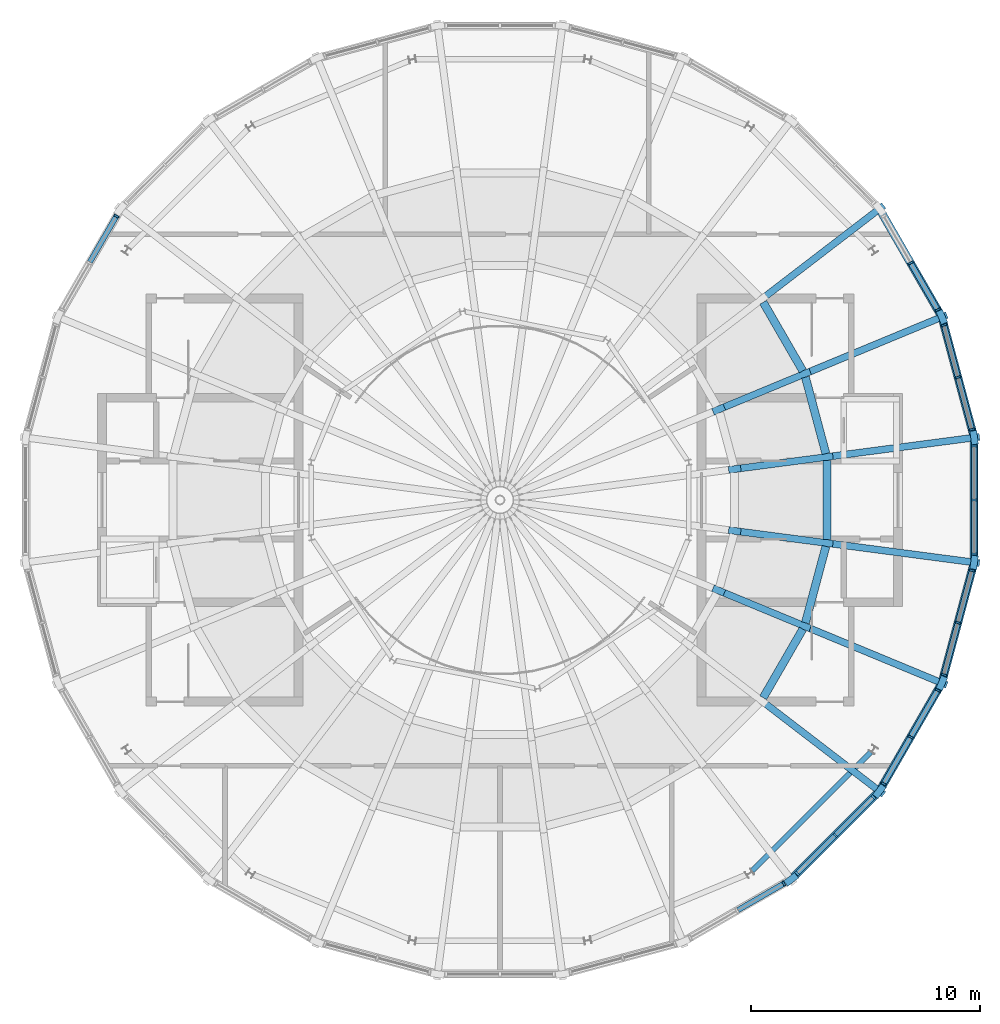
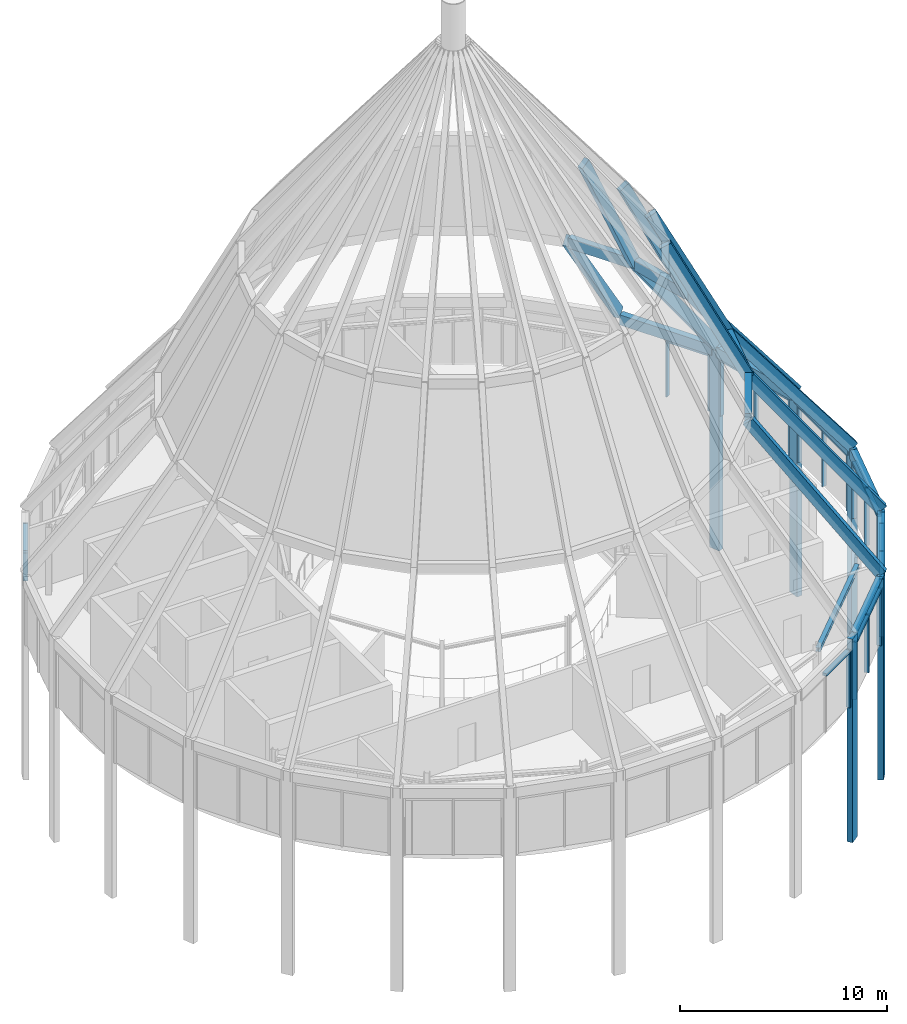
# One storey, part 8 of 16: 59 members, 1 beam, 8 elements without a shape of their own.
"""IFC4 building model written with IfcOpenShell, lengths in metres."""

from ifc_helpers import new_model, si_unit, direction, frame, origin, origin_2d, place, context, subcontext, project, spatial, rectangle, i_section, extrude, material, layer, layer_set, material_profile, profile_set, type_object, element, aggregate, save


model = new_model("IFC4")

# Units and contexts
model_context = context("Model", 3, precision=1e-05, world=origin(), true_north=direction((0.0, 1.0)))
body_context = subcontext(model_context, "Body", "Model", "MODEL_VIEW")
ifc_project = project(units=[si_unit("LENGTHUNIT", "METRE"), si_unit("AREAUNIT", "SQUARE_METRE"), si_unit("VOLUMEUNIT", "CUBIC_METRE"), si_unit("PLANEANGLEUNIT", "RADIAN"), si_unit("MASSUNIT", "GRAM", prefix="KILO")], contexts=[model_context])

# Site, building, storey
site_placement = place(None, origin())
site = spatial("IfcSite", under=ifc_project, at=site_placement, CompositionType="ELEMENT")
building_placement = place(site_placement, origin())
building = spatial("IfcBuilding", under=site, at=building_placement, Name="Maasbend Ring Residences", CompositionType="ELEMENT")
storey_placement = place(building_placement, frame((0.0, 0.0, 269.5)))
storey = spatial("IfcBuildingStorey", under=building, at=storey_placement, Name="L77", CompositionType="ELEMENT", Elevation=269.5)

# Members
ifc_material_1 = material(Name="Steel S355J2", Category="steel")
ifc_material_profile_1 = material_profile(ifc_material_1, rectangle(XDim=0.300048828125, YDim=0.60009765625, at=origin_2d()), Name="Box 300x600x12")
ifc_profile_set_1 = profile_set([ifc_material_profile_1], Name="Steel S355J2")
member_type_1 = type_object("IfcMemberType", Name="CROWN-RIB", PredefinedType="USERDEFINED", material=ifc_profile_set_1)
member_1_placement = place(storey_placement, frame((20.69140625, 2.72412109375, -8.0), z_axis=(0.0, 0.0, 1.0), x_axis=(0.991444861374, 0.13052619222, 0.0)))
element("IfcMember", 1, at=member_1_placement, inside=storey, type_object=member_type_1, Name="Crown frame rib", ObjectType="CROWN FRAME", PredefinedType="USERDEFINED", context=body_context, shape_type="SweptSolid", body=[
    extrude(rectangle(XDim=0.300048828125, YDim=0.60009765625, at=origin_2d()), origin(), (0.0, 0.0, 1.0), 12.0),
])
member_2_placement = place(storey_placement, frame((20.69140625, 2.72412109375, 4.0), z_axis=(-0.604690035961, -0.079612203208, 0.792471991625), x_axis=(0.130531429632, -0.991444171841, 0.0)))
element("IfcMember", 2, at=member_2_placement, inside=storey, type_object=member_type_1, Name="Crown frame rib", ObjectType="CROWN FRAME", PredefinedType="USERDEFINED", context=body_context, shape_type="SweptSolid", body=[
    extrude(rectangle(XDim=0.300048828125, YDim=0.60009765625, at=origin_2d()), origin(), (0.0, 0.0, 1.0), 10.635009765625),
])
member_3_placement = place(storey_placement, frame((14.260498046875, 1.87744140625, 12.427978515625), z_axis=(-0.4425574089, -0.058253168018, 0.894846080755), x_axis=(0.130502805444, -0.991447940021, 0.0)))
element("IfcMember", 3, at=member_3_placement, inside=storey, type_object=member_type_1, Name="Crown frame rib", ObjectType="CROWN FRAME", PredefinedType="USERDEFINED", context=body_context, shape_type="SweptSolid", body=[
    extrude(rectangle(XDim=0.300048828125, YDim=0.60009765625, at=origin_2d()), origin(), (0.0, 0.0, 1.0), 9.08203125),
])
member_4_placement = place(storey_placement, frame((19.28125, 7.986572265625, -8.0), z_axis=(0.0, 0.0, 1.0), x_axis=(0.923879532511, 0.382683432365, 0.0)))
element("IfcMember", 4, at=member_4_placement, inside=storey, type_object=member_type_1, Name="Crown frame rib", ObjectType="CROWN FRAME", PredefinedType="USERDEFINED", context=body_context, shape_type="SweptSolid", body=[
    extrude(rectangle(XDim=0.300048828125, YDim=0.60009765625, at=origin_2d()), origin(), (0.0, 0.0, 1.0), 12.0),
])
member_5_placement = place(storey_placement, frame((19.28125, 7.986572265625, 4.0), z_axis=(-0.563468129772, -0.233399082314, 0.79248251407), x_axis=(0.382687548315, -0.923877827618, 0.0)))
element("IfcMember", 5, at=member_5_placement, inside=storey, type_object=member_type_1, Name="Crown frame rib", ObjectType="CROWN FRAME", PredefinedType="USERDEFINED", context=body_context, shape_type="SweptSolid", body=[
    extrude(rectangle(XDim=0.300048828125, YDim=0.60009765625, at=origin_2d()), origin(), (0.0, 0.0, 1.0), 10.635009765625),
])
member_6_placement = place(storey_placement, frame((13.288818359375, 5.50439453125, 12.427978515625), z_axis=(-0.412417278661, -0.170832473334, 0.894834204932), x_axis=(0.382690398388, -0.92387664706, 0.0)))
element("IfcMember", 6, at=member_6_placement, inside=storey, type_object=member_type_1, Name="Crown frame rib", ObjectType="CROWN FRAME", PredefinedType="USERDEFINED", context=body_context, shape_type="SweptSolid", body=[
    extrude(rectangle(XDim=0.300048828125, YDim=0.60009765625, at=origin_2d()), origin(), (0.0, 0.0, 1.0), 9.08203125),
])
member_7_placement = place(storey_placement, frame((16.557373046875, 12.704833984375, 4.0), z_axis=(-0.483870756663, -0.37129355813, 0.792470936084), x_axis=(0.608768103624, -0.793348218634, 0.0)))
element("IfcMember", 7, at=member_7_placement, inside=storey, type_object=member_type_1, Name="Crown frame rib", ObjectType="CROWN FRAME", PredefinedType="USERDEFINED", context=body_context, shape_type="SweptSolid", body=[
    extrude(rectangle(XDim=0.300048828125, YDim=0.60009765625, at=origin_2d()), origin(), (0.0, 0.0, 1.0), 10.635009765625),
])
for number, where, z_axis, x_axis, name in (
    (8, (12.704833984375, -16.557373046875, -8.0), (0.0, 0.0, 1.0), (0.608761429009, -0.793353340291, 0.0), "Crown frame rib"),
    (9, (16.557373046875, -12.704833984375, -8.0), (0.0, 0.0, 1.0), (0.793353340291, -0.608761429009, 0.0), "Crown frame rib"),
):
    element("IfcMember", number, at=place(storey_placement, frame(where, z_axis=z_axis, x_axis=x_axis)), inside=storey, type_object=member_type_1, Name=name, ObjectType="CROWN FRAME", PredefinedType="USERDEFINED", context=body_context, shape_type="SweptSolid", body=[
        extrude(rectangle(XDim=0.300048828125, YDim=0.60009765625, at=origin_2d()), origin(), (0.0, 0.0, 1.0), 12.0),
    ])
member_8_placement = place(storey_placement, frame((16.557373046875, -12.704833984375, 4.0), z_axis=(-0.483870756663, 0.37129355813, 0.792470936084), x_axis=(-0.608768103624, -0.793348218634, 0.0)))
element("IfcMember", 10, at=member_8_placement, inside=storey, type_object=member_type_1, Name="Crown frame rib", ObjectType="CROWN FRAME", PredefinedType="USERDEFINED", context=body_context, shape_type="SweptSolid", body=[
    extrude(rectangle(XDim=0.300048828125, YDim=0.60009765625, at=origin_2d()), origin(), (0.0, 0.0, 1.0), 10.635009765625),
])
member_9_placement = place(storey_placement, frame((19.28125, -7.986572265625, -8.0), z_axis=(0.0, 0.0, 1.0), x_axis=(0.923879532511, -0.382683432365, 0.0)))
element("IfcMember", 11, at=member_9_placement, inside=storey, type_object=member_type_1, Name="Crown frame rib", ObjectType="CROWN FRAME", PredefinedType="USERDEFINED", context=body_context, shape_type="SweptSolid", body=[
    extrude(rectangle(XDim=0.300048828125, YDim=0.60009765625, at=origin_2d()), origin(), (0.0, 0.0, 1.0), 12.0),
])
member_10_placement = place(storey_placement, frame((19.28125, -7.986572265625, 4.0), z_axis=(-0.563468129772, 0.233399082314, 0.79248251407), x_axis=(-0.382687548315, -0.923877827618, 0.0)))
element("IfcMember", 12, at=member_10_placement, inside=storey, type_object=member_type_1, Name="Crown frame rib", ObjectType="CROWN FRAME", PredefinedType="USERDEFINED", context=body_context, shape_type="SweptSolid", body=[
    extrude(rectangle(XDim=0.300048828125, YDim=0.60009765625, at=origin_2d()), origin(), (0.0, 0.0, 1.0), 10.635009765625),
])
member_11_placement = place(storey_placement, frame((13.288818359375, -5.50439453125, 12.427978515625), z_axis=(-0.412417278661, 0.170832473334, 0.894834204932), x_axis=(-0.382690398388, -0.92387664706, 0.0)))
element("IfcMember", 13, at=member_11_placement, inside=storey, type_object=member_type_1, Name="Crown frame rib", ObjectType="CROWN FRAME", PredefinedType="USERDEFINED", context=body_context, shape_type="SweptSolid", body=[
    extrude(rectangle(XDim=0.300048828125, YDim=0.60009765625, at=origin_2d()), origin(), (0.0, 0.0, 1.0), 9.08203125),
])
member_12_placement = place(storey_placement, frame((20.69140625, -2.72412109375, -8.0), z_axis=(0.0, 0.0, 1.0), x_axis=(0.991444861374, -0.13052619222, 0.0)))
element("IfcMember", 14, at=member_12_placement, inside=storey, type_object=member_type_1, Name="Crown frame rib", ObjectType="CROWN FRAME", PredefinedType="USERDEFINED", context=body_context, shape_type="SweptSolid", body=[
    extrude(rectangle(XDim=0.300048828125, YDim=0.60009765625, at=origin_2d()), origin(), (0.0, 0.0, 1.0), 12.0),
])
member_13_placement = place(storey_placement, frame((20.69140625, -2.72412109375, 4.0), z_axis=(-0.604690035961, 0.079612203208, 0.792471991625), x_axis=(-0.130531429632, -0.991444171841, 0.0)))
element("IfcMember", 15, at=member_13_placement, inside=storey, type_object=member_type_1, Name="Crown frame rib", ObjectType="CROWN FRAME", PredefinedType="USERDEFINED", context=body_context, shape_type="SweptSolid", body=[
    extrude(rectangle(XDim=0.300048828125, YDim=0.60009765625, at=origin_2d()), origin(), (0.0, 0.0, 1.0), 10.635009765625),
])
member_14_placement = place(storey_placement, frame((14.260498046875, -1.87744140625, 12.427978515625), z_axis=(-0.4425574089, 0.058253168018, 0.894846080755), x_axis=(-0.130502805444, -0.991447940021, 0.0)))
element("IfcMember", 16, at=member_14_placement, inside=storey, type_object=member_type_1, Name="Crown frame rib", ObjectType="CROWN FRAME", PredefinedType="USERDEFINED", context=body_context, shape_type="SweptSolid", body=[
    extrude(rectangle(XDim=0.300048828125, YDim=0.60009765625, at=origin_2d()), origin(), (0.0, 0.0, 1.0), 9.08203125),
])
ifc_material_2 = material(Name="Steel S355J2", Category="steel")
ifc_material_profile_2 = material_profile(ifc_material_2, rectangle(XDim=0.35009765625, YDim=0.60009765625, at=origin_2d()), Name="Box 350x600x16")
ifc_profile_set_2 = profile_set([ifc_material_profile_2], Name="Steel S355J2")
member_type_2 = type_object("IfcMemberType", Name="CROWN-RING", PredefinedType="USERDEFINED", material=ifc_profile_set_2)
member_15_placement = place(storey_placement, frame((20.652587890625, 2.868896484375, 3.699951171875), z_axis=(-0.258825367631, 0.96592413215, 0.0), x_axis=(-0.96592413215, -0.258825367631, 0.0)))
element("IfcMember", 17, at=member_15_placement, inside=storey, type_object=member_type_2, Name="Crown frame ring beam", ObjectType="CROWN FRAME", PredefinedType="USERDEFINED", context=body_context, shape_type="SweptSolid", body=[
    extrude(rectangle(XDim=0.35009765625, YDim=0.60009765625, at=origin_2d()), origin(), (0.0, 0.0, 1.0), 5.1484375),
])
member_16_placement = place(storey_placement, frame((19.206298828125, 8.116455078125, 3.699951171875), z_axis=(-0.499979704663, 0.866037120986, 0.0), x_axis=(-0.866037120986, -0.499979704663, 0.0)))
element("IfcMember", 18, at=member_16_placement, inside=storey, type_object=member_type_2, Name="Crown frame ring beam", ObjectType="CROWN FRAME", PredefinedType="USERDEFINED", context=body_context, shape_type="SweptSolid", body=[
    extrude(rectangle(XDim=0.35009765625, YDim=0.60009765625, at=origin_2d()), origin(), (0.0, 0.0, 1.0), 5.148193359375),
])
member_17_placement = place(storey_placement, frame((12.81103515625, -16.451171875, 3.699951171875), z_axis=(0.707106781187, 0.707106781187, 0.0), x_axis=(-0.707106781187, 0.707106781187, 0.0)))
element("IfcMember", 19, at=member_17_placement, inside=storey, type_object=member_type_2, Name="Crown frame ring beam", ObjectType="CROWN FRAME", PredefinedType="USERDEFINED", context=body_context, shape_type="SweptSolid", body=[
    extrude(rectangle(XDim=0.35009765625, YDim=0.60009765625, at=origin_2d()), origin(), (0.0, 0.0, 1.0), 5.14794921875),
])
member_18_placement = place(storey_placement, frame((16.63232421875, -12.574951171875, 3.699951171875), z_axis=(0.499979704663, 0.866037120986, 0.0), x_axis=(-0.866037120986, 0.499979704663, 0.0)))
element("IfcMember", 20, at=member_18_placement, inside=storey, type_object=member_type_2, Name="Crown frame ring beam", ObjectType="CROWN FRAME", PredefinedType="USERDEFINED", context=body_context, shape_type="SweptSolid", body=[
    extrude(rectangle(XDim=0.35009765625, YDim=0.60009765625, at=origin_2d()), origin(), (0.0, 0.0, 1.0), 5.148193359375),
])
member_19_placement = place(storey_placement, frame((19.320068359375, -7.841796875, 3.699951171875), z_axis=(0.258825367631, 0.96592413215, 0.0), x_axis=(-0.96592413215, 0.258825367631, 0.0)))
element("IfcMember", 21, at=member_19_placement, inside=storey, type_object=member_type_2, Name="Crown frame ring beam", ObjectType="CROWN FRAME", PredefinedType="USERDEFINED", context=body_context, shape_type="SweptSolid", body=[
    extrude(rectangle(XDim=0.35009765625, YDim=0.60009765625, at=origin_2d()), origin(), (0.0, 0.0, 1.0), 5.1484375),
])
member_20_placement = place(storey_placement, frame((20.69140625, -2.573974609375, 3.699951171875), z_axis=(0.0, 1.0, 0.0), x_axis=(-1.0, 0.0, 0.0)))
element("IfcMember", 22, at=member_20_placement, inside=storey, type_object=member_type_2, Name="Crown frame ring beam", ObjectType="CROWN FRAME", PredefinedType="USERDEFINED", context=body_context, shape_type="SweptSolid", body=[
    extrude(rectangle(XDim=0.35009765625, YDim=0.60009765625, at=origin_2d()), origin(), (0.0, 0.0, 1.0), 5.14794921875),
])
for number, where, z_axis, x_axis, name in (
    (23, (14.2216796875, 2.022216796875, 12.427978515625), (-0.25877964949, 0.965936381451, 0.0), (-0.965936381451, -0.25877964949, 0.0), "Crown frame ring beam"),
    (24, (13.213623046875, 5.63427734375, 12.427978515625), (-0.499977339252, 0.866038486578, 0.0), (-0.866038486578, -0.499977339252, 0.0), "Crown frame ring beam"),
    (25, (11.486328125, -8.626220703125, 12.427978515625), (0.499977339252, 0.866038486578, 0.0), (-0.866038486578, 0.499977339252, 0.0), "Crown frame ring beam"),
    (26, (13.32763671875, -5.359375, 12.427978515625), (0.25877964949, 0.965936381451, 0.0), (-0.965936381451, 0.25877964949, 0.0), "Crown frame ring beam"),
):
    element("IfcMember", number, at=place(storey_placement, frame(where, z_axis=z_axis, x_axis=x_axis)), inside=storey, type_object=member_type_2, Name=name, ObjectType="CROWN FRAME", PredefinedType="USERDEFINED", context=body_context, shape_type="SweptSolid", body=[
        extrude(rectangle(XDim=0.35009765625, YDim=0.60009765625, at=origin_2d()), origin(), (0.0, 0.0, 1.0), 3.454833984375),
    ])
member_21_placement = place(storey_placement, frame((14.260498046875, -1.7275390625, 12.427978515625), z_axis=(0.0, 1.0, 0.0), x_axis=(-1.0, 0.0, 0.0)))
element("IfcMember", 27, at=member_21_placement, inside=storey, type_object=member_type_2, Name="Crown frame ring beam", ObjectType="CROWN FRAME", PredefinedType="USERDEFINED", context=body_context, shape_type="SweptSolid", body=[
    extrude(rectangle(XDim=0.35009765625, YDim=0.60009765625, at=origin_2d()), origin(), (0.0, 0.0, 1.0), 3.455078125),
])

# Curtain wall, members
ifc_material_3 = material(Name="Aluminium and clear glass", Category="aluminium")
ifc_layer = layer(ifc_material_3, 0.239990234375)
ifc_layer_set = layer_set([ifc_layer], Name="CW-CN")
curtain_wall_type = type_object("IfcCurtainWallType", Name="CW-CN", PredefinedType="NOTDEFINED", material=ifc_layer_set)
curtain_wall_1_placement = place(storey_placement, origin())
curtain_wall_1 = element("IfcCurtainWall", 28, at=curtain_wall_1_placement, inside=storey, type_object=curtain_wall_type, Name="Crown drum glazing 01 L77", PredefinedType="NOTDEFINED")
ifc_material_4 = material(Name="Aluminium 6063-T6", Category="aluminium")
ifc_material_profile_3 = material_profile(ifc_material_4, rectangle(XDim=0.239990234375, YDim=0.090087890625, at=origin_2d()), Name="AL 240x90")
ifc_profile_set_3 = profile_set([ifc_material_profile_3], Name="Aluminium 6063-T6")
member_type_3 = type_object("IfcMemberType", Name="CWM-CN", PredefinedType="MULLION", material=ifc_profile_set_3)
member_22_placement = place(storey_placement, frame((20.596923828125, 3.07666015625, 0.0), z_axis=(0.0, 0.0, 1.0), x_axis=(-0.965925826289, -0.258819045103, 0.0)))
member_22 = element("IfcMember", 29, at=member_22_placement, type_object=member_type_3, Name="Mullion crown cone", PredefinedType="MULLION", context=body_context, shape_type="SweptSolid", body=[
    extrude(rectangle(XDim=0.239990234375, YDim=0.090087890625, at=origin_2d()), origin(), (0.0, 0.0, 1.0), 3.39990234375),
])
member_23_placement = place(storey_placement, frame((19.986328125, 5.355224609375, 0.0), z_axis=(0.0, 0.0, 1.0), x_axis=(-0.965925826289, -0.258819045103, 0.0)))
member_23 = element("IfcMember", 30, at=member_23_placement, type_object=member_type_3, Name="Mullion crown cone", PredefinedType="MULLION", context=body_context, shape_type="SweptSolid", body=[
    extrude(rectangle(XDim=0.239990234375, YDim=0.090087890625, at=origin_2d()), origin(), (0.0, 0.0, 1.0), 3.39990234375),
])
member_24_placement = place(storey_placement, frame((19.375732421875, 7.634033203125, 0.0), z_axis=(0.0, 0.0, 1.0), x_axis=(-0.965925826289, -0.258819045103, 0.0)))
member_24 = element("IfcMember", 31, at=member_24_placement, type_object=member_type_3, Name="Mullion crown cone", PredefinedType="MULLION", context=body_context, shape_type="SweptSolid", body=[
    extrude(rectangle(XDim=0.239990234375, YDim=0.090087890625, at=origin_2d()), origin(), (0.0, 0.0, 1.0), 3.39990234375),
])

curtain_wall_2_placement = place(storey_placement, origin())
curtain_wall_2 = element("IfcCurtainWall", 32, at=curtain_wall_2_placement, inside=storey, type_object=curtain_wall_type, Name="Crown drum glazing 02 L77", PredefinedType="NOTDEFINED")
member_25_placement = place(storey_placement, frame((19.098876953125, 8.302734375, 0.0), z_axis=(0.0, 0.0, 1.0), x_axis=(-0.866025403784, -0.5, 0.0)))
member_25 = element("IfcMember", 33, at=member_25_placement, type_object=member_type_3, Name="Mullion crown cone", PredefinedType="MULLION", context=body_context, shape_type="SweptSolid", body=[
    extrude(rectangle(XDim=0.239990234375, YDim=0.090087890625, at=origin_2d()), origin(), (0.0, 0.0, 1.0), 3.39990234375),
])
member_26_placement = place(storey_placement, frame((17.91943359375, 10.345703125, 0.0), z_axis=(0.0, 0.0, 1.0), x_axis=(-0.866025403784, -0.5, 0.0)))
member_26 = element("IfcMember", 34, at=member_26_placement, type_object=member_type_3, Name="Mullion crown cone", PredefinedType="MULLION", context=body_context, shape_type="SweptSolid", body=[
    extrude(rectangle(XDim=0.239990234375, YDim=0.090087890625, at=origin_2d()), origin(), (0.0, 0.0, 1.0), 3.39990234375),
])

# Curtain wall, member
curtain_wall_3_placement = place(storey_placement, origin())
curtain_wall_3 = element("IfcCurtainWall", 35, at=curtain_wall_3_placement, inside=storey, type_object=curtain_wall_type, Name="Crown drum glazing 10 L77", PredefinedType="NOTDEFINED")
member_27_placement = place(storey_placement, frame((-16.73974609375, 12.388671875, 0.0), z_axis=(0.0, 0.0, 1.0), x_axis=(0.866025403784, -0.5, 0.0)))
member_27 = element("IfcMember", 36, at=member_27_placement, type_object=member_type_3, Name="Mullion crown cone", PredefinedType="MULLION", context=body_context, shape_type="SweptSolid", body=[
    extrude(rectangle(XDim=0.239990234375, YDim=0.090087890625, at=origin_2d()), origin(), (0.0, 0.0, 1.0), 3.39990234375),
])

curtain_wall_4_placement = place(storey_placement, origin())
curtain_wall_4 = element("IfcCurtainWall", 37, at=curtain_wall_4_placement, inside=storey, type_object=curtain_wall_type, Name="Crown drum glazing 20 L77", PredefinedType="NOTDEFINED")
member_28_placement = place(storey_placement, frame((12.388671875, -16.73974609375, 0.0), z_axis=(0.0, 0.0, 1.0), x_axis=(-0.5, 0.866025403784, 0.0)))
member_28 = element("IfcMember", 38, at=member_28_placement, type_object=member_type_3, Name="Mullion crown cone", PredefinedType="MULLION", context=body_context, shape_type="SweptSolid", body=[
    extrude(rectangle(XDim=0.239990234375, YDim=0.090087890625, at=origin_2d()), origin(), (0.0, 0.0, 1.0), 3.39990234375),
])

# Curtain wall, members
curtain_wall_5_placement = place(storey_placement, origin())
curtain_wall_5 = element("IfcCurtainWall", 39, at=curtain_wall_5_placement, inside=storey, type_object=curtain_wall_type, Name="Crown drum glazing 21 L77", PredefinedType="NOTDEFINED")
member_29_placement = place(storey_placement, frame((12.962890625, -16.299072265625, 0.0), z_axis=(0.0, 0.0, 1.0), x_axis=(-0.707106781187, 0.707106781187, 0.0)))
member_29 = element("IfcMember", 40, at=member_29_placement, type_object=member_type_3, Name="Mullion crown cone", PredefinedType="MULLION", context=body_context, shape_type="SweptSolid", body=[
    extrude(rectangle(XDim=0.239990234375, YDim=0.090087890625, at=origin_2d()), origin(), (0.0, 0.0, 1.0), 3.39990234375),
])
member_30_placement = place(storey_placement, frame((14.631103515625, -14.631103515625, 0.0), z_axis=(0.0, 0.0, 1.0), x_axis=(-0.707106781187, 0.707106781187, 0.0)))
member_30 = element("IfcMember", 41, at=member_30_placement, type_object=member_type_3, Name="Mullion crown cone", PredefinedType="MULLION", context=body_context, shape_type="SweptSolid", body=[
    extrude(rectangle(XDim=0.239990234375, YDim=0.090087890625, at=origin_2d()), origin(), (0.0, 0.0, 1.0), 3.39990234375),
])
member_31_placement = place(storey_placement, frame((16.299072265625, -12.962890625, 0.0), z_axis=(0.0, 0.0, 1.0), x_axis=(-0.707106781187, 0.707106781187, 0.0)))
member_31 = element("IfcMember", 42, at=member_31_placement, type_object=member_type_3, Name="Mullion crown cone", PredefinedType="MULLION", context=body_context, shape_type="SweptSolid", body=[
    extrude(rectangle(XDim=0.239990234375, YDim=0.090087890625, at=origin_2d()), origin(), (0.0, 0.0, 1.0), 3.39990234375),
])

curtain_wall_6_placement = place(storey_placement, origin())
curtain_wall_6 = element("IfcCurtainWall", 43, at=curtain_wall_6_placement, inside=storey, type_object=curtain_wall_type, Name="Crown drum glazing 22 L77", PredefinedType="NOTDEFINED")
member_32_placement = place(storey_placement, frame((16.73974609375, -12.388671875, 0.0), z_axis=(0.0, 0.0, 1.0), x_axis=(-0.866025403784, 0.5, 0.0)))
member_32 = element("IfcMember", 44, at=member_32_placement, type_object=member_type_3, Name="Mullion crown cone", PredefinedType="MULLION", context=body_context, shape_type="SweptSolid", body=[
    extrude(rectangle(XDim=0.239990234375, YDim=0.090087890625, at=origin_2d()), origin(), (0.0, 0.0, 1.0), 3.39990234375),
])
member_33_placement = place(storey_placement, frame((17.91943359375, -10.345703125, 0.0), z_axis=(0.0, 0.0, 1.0), x_axis=(-0.866025403784, 0.5, 0.0)))
member_33 = element("IfcMember", 45, at=member_33_placement, type_object=member_type_3, Name="Mullion crown cone", PredefinedType="MULLION", context=body_context, shape_type="SweptSolid", body=[
    extrude(rectangle(XDim=0.239990234375, YDim=0.090087890625, at=origin_2d()), origin(), (0.0, 0.0, 1.0), 3.39990234375),
])
member_34_placement = place(storey_placement, frame((19.098876953125, -8.302734375, 0.0), z_axis=(0.0, 0.0, 1.0), x_axis=(-0.866025403784, 0.5, 0.0)))
member_34 = element("IfcMember", 46, at=member_34_placement, type_object=member_type_3, Name="Mullion crown cone", PredefinedType="MULLION", context=body_context, shape_type="SweptSolid", body=[
    extrude(rectangle(XDim=0.239990234375, YDim=0.090087890625, at=origin_2d()), origin(), (0.0, 0.0, 1.0), 3.39990234375),
])

curtain_wall_7_placement = place(storey_placement, origin())
curtain_wall_7 = element("IfcCurtainWall", 47, at=curtain_wall_7_placement, inside=storey, type_object=curtain_wall_type, Name="Crown drum glazing 23 L77", PredefinedType="NOTDEFINED")
member_35_placement = place(storey_placement, frame((19.375732421875, -7.634033203125, 0.0), z_axis=(0.0, 0.0, 1.0), x_axis=(-0.965925826289, 0.258819045103, 0.0)))
member_35 = element("IfcMember", 48, at=member_35_placement, type_object=member_type_3, Name="Mullion crown cone", PredefinedType="MULLION", context=body_context, shape_type="SweptSolid", body=[
    extrude(rectangle(XDim=0.239990234375, YDim=0.090087890625, at=origin_2d()), origin(), (0.0, 0.0, 1.0), 3.39990234375),
])
member_36_placement = place(storey_placement, frame((19.986328125, -5.355224609375, 0.0), z_axis=(0.0, 0.0, 1.0), x_axis=(-0.965925826289, 0.258819045103, 0.0)))
member_36 = element("IfcMember", 49, at=member_36_placement, type_object=member_type_3, Name="Mullion crown cone", PredefinedType="MULLION", context=body_context, shape_type="SweptSolid", body=[
    extrude(rectangle(XDim=0.239990234375, YDim=0.090087890625, at=origin_2d()), origin(), (0.0, 0.0, 1.0), 3.39990234375),
])
member_37_placement = place(storey_placement, frame((20.596923828125, -3.07666015625, 0.0), z_axis=(0.0, 0.0, 1.0), x_axis=(-0.965925826289, 0.258819045103, 0.0)))
member_37 = element("IfcMember", 50, at=member_37_placement, type_object=member_type_3, Name="Mullion crown cone", PredefinedType="MULLION", context=body_context, shape_type="SweptSolid", body=[
    extrude(rectangle(XDim=0.239990234375, YDim=0.090087890625, at=origin_2d()), origin(), (0.0, 0.0, 1.0), 3.39990234375),
])

curtain_wall_8_placement = place(storey_placement, origin())
curtain_wall_8 = element("IfcCurtainWall", 51, at=curtain_wall_8_placement, inside=storey, type_object=curtain_wall_type, Name="Crown drum glazing 24 L77", PredefinedType="NOTDEFINED")
member_38_placement = place(storey_placement, frame((20.69140625, -2.359130859375, 0.0), z_axis=(0.0, 0.0, 1.0), x_axis=(-1.0, 0.0, 0.0)))
member_38 = element("IfcMember", 52, at=member_38_placement, type_object=member_type_3, Name="Mullion crown cone", PredefinedType="MULLION", context=body_context, shape_type="SweptSolid", body=[
    extrude(rectangle(XDim=0.239990234375, YDim=0.090087890625, at=origin_2d()), origin(), (0.0, 0.0, 1.0), 3.39990234375),
])
member_39_placement = place(storey_placement, frame((20.69140625, 0.0, 0.0), z_axis=(0.0, 0.0, 1.0), x_axis=(-1.0, 0.0, 0.0)))
member_39 = element("IfcMember", 53, at=member_39_placement, type_object=member_type_3, Name="Mullion crown cone", PredefinedType="MULLION", context=body_context, shape_type="SweptSolid", body=[
    extrude(rectangle(XDim=0.239990234375, YDim=0.090087890625, at=origin_2d()), origin(), (0.0, 0.0, 1.0), 3.39990234375),
])
member_40_placement = place(storey_placement, frame((20.69140625, 2.359130859375, 0.0), z_axis=(0.0, 0.0, 1.0), x_axis=(-1.0, 0.0, 0.0)))
member_40 = element("IfcMember", 54, at=member_40_placement, type_object=member_type_3, Name="Mullion crown cone", PredefinedType="MULLION", context=body_context, shape_type="SweptSolid", body=[
    extrude(rectangle(XDim=0.239990234375, YDim=0.090087890625, at=origin_2d()), origin(), (0.0, 0.0, 1.0), 3.39990234375),
])

# Member
ifc_material_5 = material(Name="Aluminium 6063-T6", Category="aluminium")
ifc_material_profile_4 = material_profile(ifc_material_5, rectangle(XDim=0.239990234375, YDim=0.159912109375, at=origin_2d()), Name="AL 240x160")
ifc_profile_set_4 = profile_set([ifc_material_profile_4], Name="Aluminium 6063-T6")
member_type_4 = type_object("IfcMemberType", Name="CWT-CN", PredefinedType="USERDEFINED", material=ifc_profile_set_4)
member_41_placement = place(storey_placement, frame((20.58544921875, 3.1201171875, 3.320068359375), z_axis=(-0.258881296667, 0.965909143883, 0.0), x_axis=(-0.965909143883, -0.258881296667, 0.0)))
member_41 = element("IfcMember", 55, at=member_41_placement, type_object=member_type_4, Name="Transom crown cone", ObjectType="TRANSOM", PredefinedType="USERDEFINED", context=body_context, shape_type="SweptSolid", body=[
    extrude(rectangle(XDim=0.239990234375, YDim=0.159912109375, at=origin_2d()), origin(), (0.0, 0.0, 1.0), 2.26904296875),
])

member_42_placement = place(storey_placement, frame((19.974853515625, 5.39892578125, 3.320068359375), z_axis=(-0.258881296667, 0.965909143883, 0.0), x_axis=(-0.965909143883, -0.258881296667, 0.0)))
member_42 = element("IfcMember", 56, at=member_42_placement, type_object=member_type_4, Name="Transom crown cone", ObjectType="TRANSOM", PredefinedType="USERDEFINED", context=body_context, shape_type="SweptSolid", body=[
    extrude(rectangle(XDim=0.239990234375, YDim=0.159912109375, at=origin_2d()), origin(), (0.0, 0.0, 1.0), 2.26904296875),
])

aggregate(curtain_wall_1, [member_22, member_23, member_24, member_41, member_42])

member_43_placement = place(storey_placement, frame((19.076416015625, 8.341552734375, 3.320068359375), z_axis=(-0.49999255039, 0.866029704776, 0.0), x_axis=(-0.866029704776, -0.49999255039, 0.0)))
member_43 = element("IfcMember", 57, at=member_43_placement, type_object=member_type_4, Name="Transom crown cone", ObjectType="TRANSOM", PredefinedType="USERDEFINED", context=body_context, shape_type="SweptSolid", body=[
    extrude(rectangle(XDim=0.239990234375, YDim=0.159912109375, at=origin_2d()), origin(), (0.0, 0.0, 1.0), 2.26904296875),
])

aggregate(curtain_wall_2, [member_25, member_26, member_43])

member_44_placement = place(storey_placement, frame((-16.76220703125, 12.349853515625, 3.320068359375), z_axis=(-0.49999255039, -0.866029704776, 0.0), x_axis=(0.866029704776, -0.49999255039, 0.0)))
member_44 = element("IfcMember", 58, at=member_44_placement, type_object=member_type_4, Name="Transom crown cone", ObjectType="TRANSOM", PredefinedType="USERDEFINED", context=body_context, shape_type="SweptSolid", body=[
    extrude(rectangle(XDim=0.239990234375, YDim=0.159912109375, at=origin_2d()), origin(), (0.0, 0.0, 1.0), 2.26904296875),
])

aggregate(curtain_wall_3, [member_27, member_44])

member_45_placement = place(storey_placement, frame((10.384765625, -17.896728515625, 3.320068359375), z_axis=(0.866029704776, 0.49999255039, 0.0), x_axis=(-0.49999255039, 0.866029704776, 0.0)))
member_45 = element("IfcMember", 59, at=member_45_placement, type_object=member_type_4, Name="Transom crown cone", ObjectType="TRANSOM", PredefinedType="USERDEFINED", context=body_context, shape_type="SweptSolid", body=[
    extrude(rectangle(XDim=0.239990234375, YDim=0.159912109375, at=origin_2d()), origin(), (0.0, 0.0, 1.0), 2.26904296875),
])

aggregate(curtain_wall_4, [member_28, member_45])

member_46_placement = place(storey_placement, frame((12.994873046875, -16.267333984375, 3.320068359375), z_axis=(0.707106781187, 0.707106781187, 0.0), x_axis=(-0.707106781187, 0.707106781187, 0.0)))
member_46 = element("IfcMember", 60, at=member_46_placement, type_object=member_type_4, Name="Transom crown cone", ObjectType="TRANSOM", PredefinedType="USERDEFINED", context=body_context, shape_type="SweptSolid", body=[
    extrude(rectangle(XDim=0.239990234375, YDim=0.159912109375, at=origin_2d()), origin(), (0.0, 0.0, 1.0), 2.26904296875),
])

member_47_placement = place(storey_placement, frame((14.662841796875, -14.599365234375, 3.320068359375), z_axis=(0.707106781187, 0.707106781187, 0.0), x_axis=(-0.707106781187, 0.707106781187, 0.0)))
member_47 = element("IfcMember", 61, at=member_47_placement, type_object=member_type_4, Name="Transom crown cone", ObjectType="TRANSOM", PredefinedType="USERDEFINED", context=body_context, shape_type="SweptSolid", body=[
    extrude(rectangle(XDim=0.239990234375, YDim=0.159912109375, at=origin_2d()), origin(), (0.0, 0.0, 1.0), 2.26904296875),
])

aggregate(curtain_wall_5, [member_29, member_30, member_31, member_46, member_47])

member_48_placement = place(storey_placement, frame((16.76220703125, -12.349853515625, 3.320068359375), z_axis=(0.49999255039, 0.866029704776, 0.0), x_axis=(-0.866029704776, 0.49999255039, 0.0)))
member_48 = element("IfcMember", 62, at=member_48_placement, type_object=member_type_4, Name="Transom crown cone", ObjectType="TRANSOM", PredefinedType="USERDEFINED", context=body_context, shape_type="SweptSolid", body=[
    extrude(rectangle(XDim=0.239990234375, YDim=0.159912109375, at=origin_2d()), origin(), (0.0, 0.0, 1.0), 2.26904296875),
])

member_49_placement = place(storey_placement, frame((17.94189453125, -10.306640625, 3.320068359375), z_axis=(0.49999255039, 0.866029704776, 0.0), x_axis=(-0.866029704776, 0.49999255039, 0.0)))
member_49 = element("IfcMember", 63, at=member_49_placement, type_object=member_type_4, Name="Transom crown cone", ObjectType="TRANSOM", PredefinedType="USERDEFINED", context=body_context, shape_type="SweptSolid", body=[
    extrude(rectangle(XDim=0.239990234375, YDim=0.159912109375, at=origin_2d()), origin(), (0.0, 0.0, 1.0), 2.26904296875),
])

aggregate(curtain_wall_6, [member_32, member_33, member_34, member_48, member_49])

member_50_placement = place(storey_placement, frame((19.387451171875, -7.590576171875, 3.320068359375), z_axis=(0.258881296667, 0.965909143883, 0.0), x_axis=(-0.965909143883, 0.258881296667, 0.0)))
member_50 = element("IfcMember", 64, at=member_50_placement, type_object=member_type_4, Name="Transom crown cone", ObjectType="TRANSOM", PredefinedType="USERDEFINED", context=body_context, shape_type="SweptSolid", body=[
    extrude(rectangle(XDim=0.239990234375, YDim=0.159912109375, at=origin_2d()), origin(), (0.0, 0.0, 1.0), 2.26904296875),
])

member_51_placement = place(storey_placement, frame((19.998046875, -5.311767578125, 3.320068359375), z_axis=(0.258881296667, 0.965909143883, 0.0), x_axis=(-0.965909143883, 0.258881296667, 0.0)))
member_51 = element("IfcMember", 65, at=member_51_placement, type_object=member_type_4, Name="Transom crown cone", ObjectType="TRANSOM", PredefinedType="USERDEFINED", context=body_context, shape_type="SweptSolid", body=[
    extrude(rectangle(XDim=0.239990234375, YDim=0.159912109375, at=origin_2d()), origin(), (0.0, 0.0, 1.0), 2.26904296875),
])

aggregate(curtain_wall_7, [member_35, member_36, member_37, member_50, member_51])

member_52_placement = place(storey_placement, frame((20.69140625, -2.31396484375, 3.320068359375), z_axis=(0.0, 1.0, 0.0), x_axis=(-1.0, 0.0, 0.0)))
member_52 = element("IfcMember", 66, at=member_52_placement, type_object=member_type_4, Name="Transom crown cone", ObjectType="TRANSOM", PredefinedType="USERDEFINED", context=body_context, shape_type="SweptSolid", body=[
    extrude(rectangle(XDim=0.239990234375, YDim=0.159912109375, at=origin_2d()), origin(), (0.0, 0.0, 1.0), 2.26904296875),
])

member_53_placement = place(storey_placement, frame((20.69140625, 0.044921875, 3.320068359375), z_axis=(0.0, 1.0, 0.0), x_axis=(-1.0, 0.0, 0.0)))
member_53 = element("IfcMember", 67, at=member_53_placement, type_object=member_type_4, Name="Transom crown cone", ObjectType="TRANSOM", PredefinedType="USERDEFINED", context=body_context, shape_type="SweptSolid", body=[
    extrude(rectangle(XDim=0.239990234375, YDim=0.159912109375, at=origin_2d()), origin(), (0.0, 0.0, 1.0), 2.26904296875),
])

aggregate(curtain_wall_8, [member_38, member_39, member_40, member_52, member_53])

# Beam
ifc_material_6 = material(Name="Steel S355J2", Category="steel")
ifc_material_profile_5 = material_profile(ifc_material_6, i_section(OverallWidth=0.239990234375, OverallDepth=0.22998046875, WebThickness=0.007568359375, FlangeThickness=0.011962890625, FilletRadius=0.02099609375, at=origin_2d()), Name="HEA 240")
ifc_profile_set_5 = profile_set([ifc_material_profile_5], Name="Steel S355J2")
beam_type = type_object("IfcBeamType", Name="Corridor ring beam HEA 240", PredefinedType="BEAM", material=ifc_profile_set_5)
beam_placement = place(storey_placement, frame((10.997314453125, -16.188720703125, 3.534912109375), z_axis=(0.707106781187, 0.707106781187, 0.0), x_axis=(-0.707106781187, 0.707106781187, 0.0)))
element("IfcBeam", 68, at=beam_placement, inside=storey, type_object=beam_type, Name="Corridor ring beam", PredefinedType="BEAM", context=body_context, shape_type="SweptSolid", body=[
    extrude(i_section(OverallWidth=0.239990234375, OverallDepth=0.22998046875, WebThickness=0.007568359375, FlangeThickness=0.011962890625, FilletRadius=0.02099609375, at=origin_2d()), origin(), (0.0, 0.0, 1.0), 7.341796875),
])

save(model, "model.ifc")
